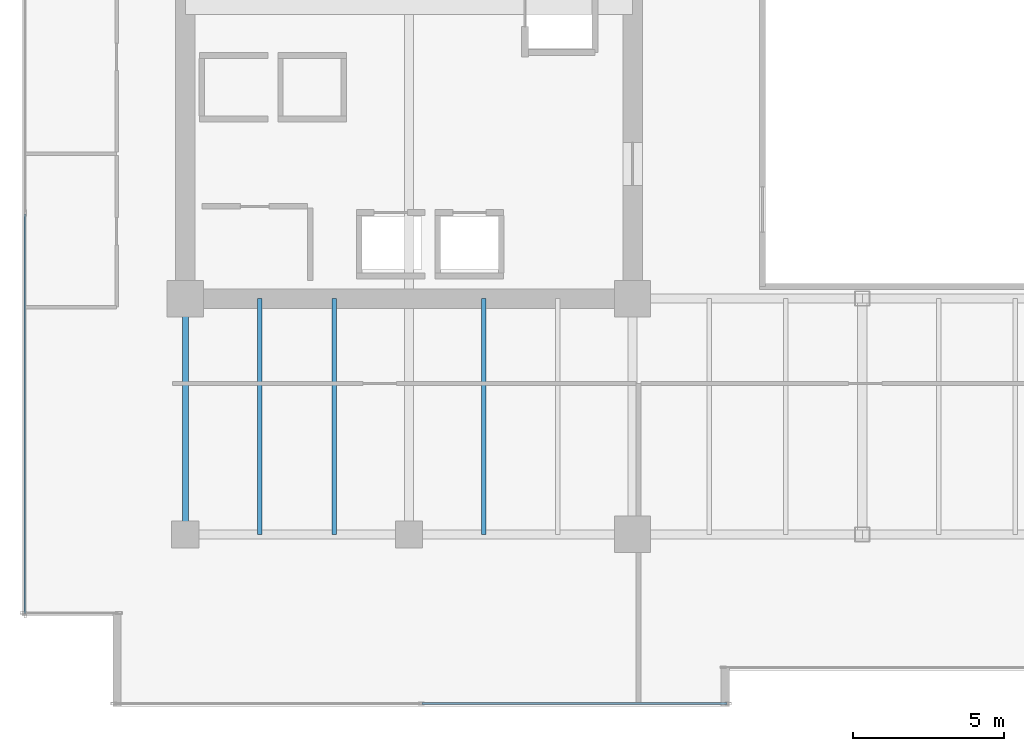
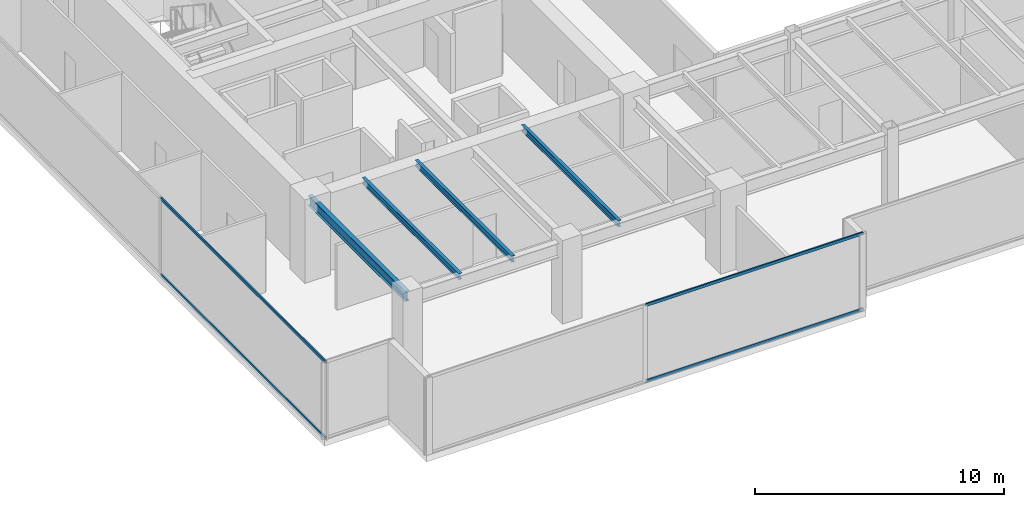
# One storey, part 3 of 31: 4 beams, 4 members, 2 elements without a shape of their own.
"""IFC4 building model written with IfcOpenShell, lengths in metres."""

from ifc_helpers import new_model, si_unit, direction, frame, origin, origin_2d, place, context, subcontext, project, spatial, hollow_rectangle, i_section, extrude, source, transform, mapped, material, layer, layer_set, material_profile, profile_set, type_object, type_shapes, element, aggregate, save


model = new_model("IFC4")

# Units and contexts
model_context = context("Model", 3, precision=1e-05, world=origin(), true_north=direction((0.0, 1.0)))
body_context = subcontext(model_context, "Body", "Model", "MODEL_VIEW")
ifc_project = project(units=[si_unit("LENGTHUNIT", "METRE"), si_unit("AREAUNIT", "SQUARE_METRE"), si_unit("VOLUMEUNIT", "CUBIC_METRE"), si_unit("PLANEANGLEUNIT", "RADIAN"), si_unit("MASSUNIT", "GRAM", prefix="KILO")], contexts=[model_context])

# Site, building, storey
site_placement = place(None, origin())
site = spatial("IfcSite", under=ifc_project, at=site_placement, CompositionType="ELEMENT")
building_placement = place(site_placement, origin())
building = spatial("IfcBuilding", under=site, at=building_placement, Name="Haelvirn Gate Laboratories", CompositionType="ELEMENT")
storey_placement = place(building_placement, frame((0.0, 0.0, 174.800048828125)))
storey = spatial("IfcBuildingStorey", under=building, at=storey_placement, Name="L42", CompositionType="ELEMENT", Elevation=174.800048828125)

# Beams
ifc_material_1 = material(Name="Steel SM355", Category="steel")
ifc_material_profile_1 = material_profile(ifc_material_1, i_section(OverallWidth=0.199951171875, OverallDepth=0.5, WebThickness=0.010009765625, FlangeThickness=0.01611328125, at=origin_2d()), Name="H-500x200x10x16")
ifc_profile_set_1 = profile_set([ifc_material_profile_1], Name="Steel SM355")
beam_type_1 = type_object("IfcBeamType", Name="BM-SP-500", PredefinedType="SPANDREL", material=ifc_profile_set_1)
shared_shape_1 = source(origin(), body_context, "Body", "SweptSolid", [
    extrude(i_section(OverallWidth=0.199951171875, OverallDepth=0.5, WebThickness=0.010009765625, FlangeThickness=0.01611328125, at=origin_2d()), origin(), (0.0, 0.0, 1.0), 7.800048828125),
])
type_shapes(beam_type_1, [shared_shape_1])
beam_placement = place(storey_placement, frame((7.39990234375, 7.0, 3.5400390625), z_axis=(0.0, 1.0, 0.0), x_axis=(-1.0, 0.0, 0.0)))
element("IfcBeam", 1, at=beam_placement, inside=storey, type_object=beam_type_1, Name="L42 Perimeter Spandrel X7.4 (7.0-14.8)", PredefinedType="SPANDREL", context=body_context, shape_type="MappedRepresentation", body=[
    mapped(shared_shape_1, transform((0.0, 0.0, 0.0), scale=1.0)),
])
ifc_material_profile_2 = material_profile(ifc_material_1, i_section(OverallWidth=0.14990234375, OverallDepth=0.300048828125, WebThickness=0.006591796875, FlangeThickness=0.009033203125, at=origin_2d()), Name="H-300x150x6.5x9")
ifc_profile_set_2 = profile_set([ifc_material_profile_2], Name="Steel SM355")
beam_type_2 = type_object("IfcBeamType", Name="BM-J-300", PredefinedType="JOIST", material=ifc_profile_set_2)
shared_shape_2 = source(origin(), body_context, "Body", "SweptSolid", [
    extrude(i_section(OverallWidth=0.14990234375, OverallDepth=0.300048828125, WebThickness=0.006591796875, FlangeThickness=0.009033203125, at=origin_2d()), origin(), (0.0, 0.0, 1.0), 7.800048828125),
])
type_shapes(beam_type_2, [shared_shape_2])
for number, where, z_axis, x_axis, name in (
    (2, (9.8701171875, 7.0, 3.639892578125), (0.0, 1.0, 0.0), (-1.0, 0.0, 0.0), "L42 Composite Lab Joist South X9.87"),
    (3, (12.330078125, 7.0, 3.639892578125), (0.0, 1.0, 0.0), (-1.0, 0.0, 0.0), "L42 Composite Lab Joist South X12.33"),
    (4, (17.27001953125, 7.0, 3.639892578125), (0.0, 1.0, 0.0), (-1.0, 0.0, 0.0), "L42 Composite Lab Joist South X17.27"),
):
    element("IfcBeam", number, at=place(storey_placement, frame(where, z_axis=z_axis, x_axis=x_axis)), inside=storey, type_object=beam_type_2, Name=name, PredefinedType="JOIST", context=body_context, shape_type="MappedRepresentation", body=[
        mapped(shared_shape_2, transform((0.0, 0.0, 0.0), scale=1.0)),
    ])

# Curtain wall, members
ifc_material_2 = material(Name="Anodised bronze unitised aluminium & triple low-E glass", Category="aluminium")
ifc_layer = layer(ifc_material_2, 0.179931640625, Name="CW-SYS-3")
ifc_layer_set = layer_set([ifc_layer], Name="Anodised bronze unitised aluminium & triple low-E glass")
curtain_wall_type = type_object("IfcCurtainWallType", Name="CW-SYS-3", PredefinedType="NOTDEFINED", material=ifc_layer_set)
curtain_wall_1_placement = place(storey_placement, origin())
curtain_wall_1 = element("IfcCurtainWall", 5, at=curtain_wall_1_placement, inside=storey, type_object=curtain_wall_type, Name="L42 Unitised Curtain Wall CW-L42-P0-E00-1", PredefinedType="NOTDEFINED")
ifc_material_3 = material(Name="Extruded aluminium 6063-T6 (anodised bronze)", Category="aluminium")
ifc_material_profile_3 = material_profile(ifc_material_3, hollow_rectangle(XDim=0.06494140625, YDim=0.139892578125, WallThickness=0.00390625, at=origin_2d()), Name="CWT-140x65x4")
ifc_profile_set_3 = profile_set([ifc_material_profile_3], Name="Extruded aluminium 6063-T6 (anodised bronze)")
member_type = type_object("IfcMemberType", Name="CWT-T140", PredefinedType="USERDEFINED", material=ifc_profile_set_3)
shared_shape_3 = source(origin(), body_context, "Body", "SweptSolid", [
    extrude(hollow_rectangle(XDim=0.06494140625, YDim=0.139892578125, WallThickness=0.00390625, at=origin_2d()), origin(), (0.0, 0.0, 1.0), 10.08740234375),
])
member_1_placement = place(storey_placement, frame((15.237548828125, 1.39990234375, 0.032470703125), z_axis=(1.0, 0.0, 0.0), x_axis=(0.0, 1.0, 0.0)))
member_1 = element("IfcMember", 6, at=member_1_placement, type_object=member_type, Name="CW3 transom 2.1", ObjectType="TRANSOM", PredefinedType="USERDEFINED", context=body_context, shape_type="MappedRepresentation", body=[
    mapped(shared_shape_3, transform((0.0, 0.0, 0.0), scale=1.0)),
])
member_2_placement = place(storey_placement, frame((15.237548828125, 1.39990234375, 3.757568359375), z_axis=(1.0, 0.0, 0.0), x_axis=(0.0, 1.0, 0.0)))
member_2 = element("IfcMember", 7, at=member_2_placement, type_object=member_type, Name="CW3 transom 2.2", ObjectType="TRANSOM", PredefinedType="USERDEFINED", context=body_context, shape_type="MappedRepresentation", body=[
    mapped(shared_shape_3, transform((0.0, 0.0, 0.0), scale=1.0)),
])
aggregate(curtain_wall_1, [member_1, member_2])

curtain_wall_2_placement = place(storey_placement, origin())
curtain_wall_2 = element("IfcCurtainWall", 8, at=curtain_wall_2_placement, inside=storey, type_object=curtain_wall_type, Name="L42 Unitised Curtain Wall CW-L42-P0-E17", PredefinedType="NOTDEFINED")
shared_shape_4 = source(origin(), body_context, "Body", "SweptSolid", [
    extrude(hollow_rectangle(XDim=0.06494140625, YDim=0.139892578125, WallThickness=0.00390625, at=origin_2d()), origin(), (0.0, 0.0, 1.0), 13.220947265625),
])
type_shapes(member_type, [shared_shape_3, shared_shape_4])
member_3_placement = place(storey_placement, frame((2.10009765625, 17.595947265625, 0.032470703125), z_axis=(0.0, -1.0, 0.0), x_axis=(1.0, 0.0, 0.0)))
member_3 = element("IfcMember", 9, at=member_3_placement, type_object=member_type, Name="CW3 transom 3.1", ObjectType="TRANSOM", PredefinedType="USERDEFINED", context=body_context, shape_type="MappedRepresentation", body=[
    mapped(shared_shape_4, transform((0.0, 0.0, 0.0), scale=1.0)),
])
member_4_placement = place(storey_placement, frame((2.10009765625, 17.595947265625, 3.757568359375), z_axis=(0.0, -1.0, 0.0), x_axis=(1.0, 0.0, 0.0)))
member_4 = element("IfcMember", 10, at=member_4_placement, type_object=member_type, Name="CW3 transom 3.2", ObjectType="TRANSOM", PredefinedType="USERDEFINED", context=body_context, shape_type="MappedRepresentation", body=[
    mapped(shared_shape_4, transform((0.0, 0.0, 0.0), scale=1.0)),
])
aggregate(curtain_wall_2, [member_3, member_4])

save(model, "model.ifc")
